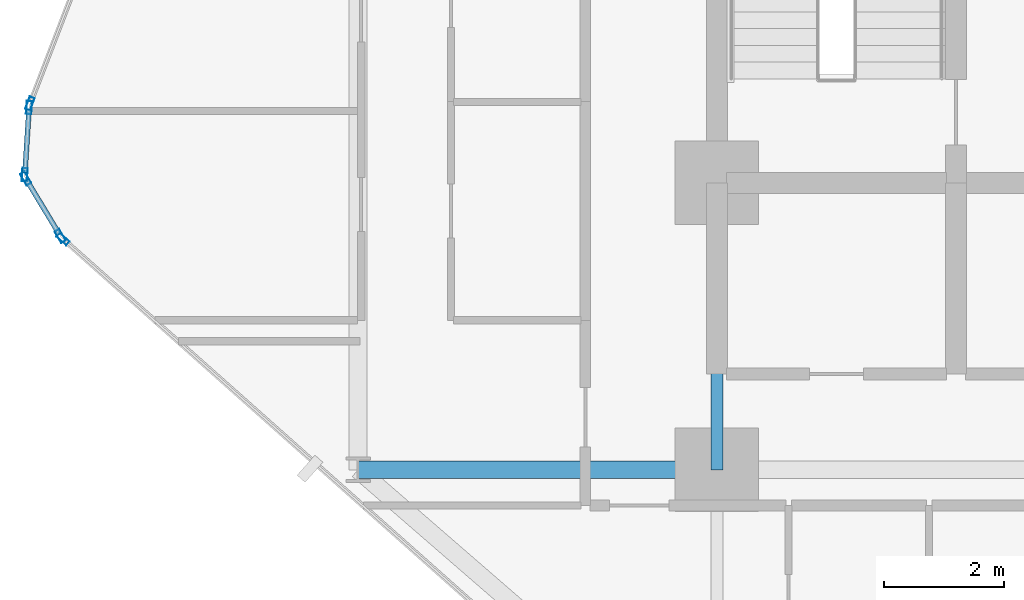
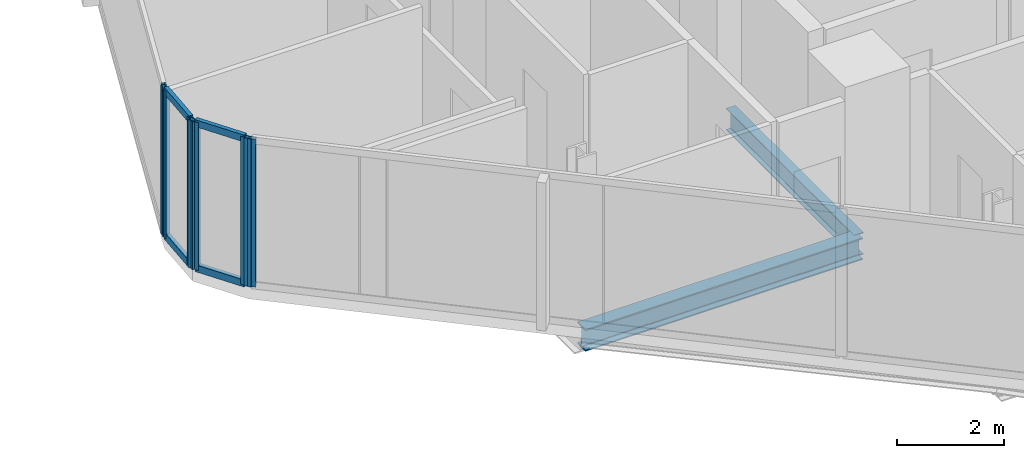
# One storey, part 5 of 34: 10 members, 2 beams, 4 elements without a shape of their own.
"""IFC4 building model written with IfcOpenShell, lengths in metres."""

from ifc_helpers import new_model, si_unit, direction, frame, origin, origin_2d, place, context, subcontext, project, spatial, hollow_rectangle, i_section, extrude, material, layer, layer_set, material_profile, profile_set, type_object, element, aggregate, save


model = new_model("IFC4")

# Units and contexts
model_context = context("Model", 3, precision=1e-05, world=origin(), true_north=direction((0.0, 1.0)))
body_context = subcontext(model_context, "Body", "Model", "MODEL_VIEW")
ifc_project = project(units=[si_unit("LENGTHUNIT", "METRE"), si_unit("AREAUNIT", "SQUARE_METRE"), si_unit("VOLUMEUNIT", "CUBIC_METRE"), si_unit("PLANEANGLEUNIT", "RADIAN"), si_unit("MASSUNIT", "GRAM", prefix="KILO")], contexts=[model_context])

# Site, building, storey
site_placement = place(None, origin())
site = spatial("IfcSite", under=ifc_project, at=site_placement, CompositionType="ELEMENT")
building_placement = place(site_placement, origin())
building = spatial("IfcBuilding", under=site, at=building_placement, Name="Keshet Zoharim Tower", CompositionType="ELEMENT")
storey_placement = place(building_placement, frame((0.0, 0.0, 46.199951171875)))
storey = spatial("IfcBuildingStorey", under=building, at=storey_placement, Name="L10", CompositionType="ELEMENT", Elevation=46.199951171875)

# Beams
ifc_material_1 = material(Name="Steel S355", Category="steel")
ifc_material_profile_1 = material_profile(ifc_material_1, i_section(OverallWidth=0.199951171875, OverallDepth=0.5, WebThickness=0.01025390625, FlangeThickness=0.01611328125, FilletRadius=0.02099609375, at=origin_2d()), Name="IPE500")
ifc_profile_set_1 = profile_set([ifc_material_profile_1], Name="Steel S355")
beam_type_1 = type_object("IfcBeamType", Name="BM-PRI-IP500", PredefinedType="BEAM", material=ifc_profile_set_1)
beam_1_placement = place(storey_placement, frame((15.0, 17.89990234375, -0.56494140625), z_axis=(0.0, 1.0, 0.0), x_axis=(-1.0, 0.0, 0.0)))
element("IfcBeam", 1, at=beam_1_placement, inside=storey, type_object=beam_type_1, Name="L10 Primary Girder Y-003", PredefinedType="BEAM", context=body_context, shape_type="SweptSolid", body=[
    extrude(i_section(OverallWidth=0.199951171875, OverallDepth=0.5, WebThickness=0.01025390625, FlangeThickness=0.01611328125, FilletRadius=0.02099609375, at=origin_2d()), origin(), (0.0, 0.0, 1.0), 4.800048828125),
])
ifc_material_profile_2 = material_profile(ifc_material_1, i_section(OverallWidth=0.300048828125, OverallDepth=0.5, WebThickness=0.014404296875, FlangeThickness=0.028076171875, FilletRadius=0.027099609375, at=origin_2d()), Name="HEB500")
ifc_profile_set_2 = profile_set([ifc_material_profile_2], Name="Steel S355")
beam_type_2 = type_object("IfcBeamType", Name="BM-WEB-HB500", PredefinedType="BEAM", material=ifc_profile_set_2)
beam_2_placement = place(storey_placement, frame((9.0, 17.89990234375, -0.56494140625), z_axis=(1.0, 0.0, 0.0), x_axis=(0.0, 1.0, 0.0)))
element("IfcBeam", 2, at=beam_2_placement, inside=storey, type_object=beam_type_2, Name="L10 Primary Girder X-015", PredefinedType="BEAM", context=body_context, shape_type="SweptSolid", body=[
    extrude(i_section(OverallWidth=0.300048828125, OverallDepth=0.5, WebThickness=0.014404296875, FlangeThickness=0.028076171875, FilletRadius=0.027099609375, at=origin_2d()), origin(), (0.0, 0.0, 1.0), 6.0),
])

# Curtain wall, member
ifc_material_2 = material(Name="Aluminium 6063-T6", Category="aluminium")
ifc_layer = layer(ifc_material_2, 0.179931640625)
ifc_layer_set = layer_set([ifc_layer], Name="Aluminium 6063-T6")
curtain_wall_type = type_object("IfcCurtainWallType", Name="CW-SYS-01", PredefinedType="NOTDEFINED", material=ifc_layer_set)
curtain_wall_1_placement = place(storey_placement, origin())
curtain_wall_1 = element("IfcCurtainWall", 3, at=curtain_wall_1_placement, inside=storey, type_object=curtain_wall_type, Name="L10 Unitised Curtain Wall 01", PredefinedType="NOTDEFINED")
ifc_material_profile_3 = material_profile(ifc_material_2, hollow_rectangle(XDim=0.090087890625, YDim=0.219970703125, WallThickness=0.0048828125, at=origin_2d()), Name="MUL-90x220")
ifc_profile_set_3 = profile_set([ifc_material_profile_3], Name="Aluminium 6063-T6")
member_type_1 = type_object("IfcMemberType", Name="CWM-M22", PredefinedType="MULLION", material=ifc_profile_set_3)
member_1_placement = place(storey_placement, frame((4.061279296875, 21.7568359375, 0.0), z_axis=(0.0, 0.0, 1.0), x_axis=(-0.664363838836, -0.747409318679, 0.0)))
member_1 = element("IfcMember", 4, at=member_1_placement, type_object=member_type_1, Name="CW-01 mullion 3", PredefinedType="MULLION", context=body_context, shape_type="SweptSolid", body=[
    extrude(hollow_rectangle(XDim=0.090087890625, YDim=0.219970703125, WallThickness=0.0048828125, at=origin_2d()), origin(), (0.0, 0.0, 1.0), 3.385009765625),
])
aggregate(curtain_wall_1, [member_1])

# Curtain wall, members
curtain_wall_2_placement = place(storey_placement, origin())
curtain_wall_2 = element("IfcCurtainWall", 5, at=curtain_wall_2_placement, inside=storey, type_object=curtain_wall_type, Name="L10 Unitised Curtain Wall 02", PredefinedType="NOTDEFINED")
member_2_placement = place(storey_placement, frame((4.016845703125, 21.81005859375, 0.0), z_axis=(0.0, 0.0, 1.0), x_axis=(-0.856826433805, -0.515604947933, 0.0)))
member_2 = element("IfcMember", 6, at=member_2_placement, type_object=member_type_1, Name="CW-01 mullion 1", PredefinedType="MULLION", context=body_context, shape_type="SweptSolid", body=[
    extrude(hollow_rectangle(XDim=0.090087890625, YDim=0.219970703125, WallThickness=0.0048828125, at=origin_2d()), origin(), (0.0, 0.0, 1.0), 3.385009765625),
])
member_3_placement = place(storey_placement, frame((3.43798828125, 22.77197265625, 0.0), z_axis=(0.0, 0.0, 1.0), x_axis=(-0.856826433805, -0.515604947933, 0.0)))
member_3 = element("IfcMember", 7, at=member_3_placement, type_object=member_type_1, Name="CW-01 mullion 2", PredefinedType="MULLION", context=body_context, shape_type="SweptSolid", body=[
    extrude(hollow_rectangle(XDim=0.090087890625, YDim=0.219970703125, WallThickness=0.0048828125, at=origin_2d()), origin(), (0.0, 0.0, 1.0), 3.385009765625),
])

curtain_wall_3_placement = place(storey_placement, origin())
curtain_wall_3 = element("IfcCurtainWall", 8, at=curtain_wall_3_placement, inside=storey, type_object=curtain_wall_type, Name="L10 Unitised Curtain Wall 03", PredefinedType="NOTDEFINED")
member_4_placement = place(storey_placement, frame((3.42236328125, 22.8369140625, 0.0), z_axis=(0.0, 0.0, 1.0), x_axis=(-0.997916617186, 0.064516859374, 0.0)))
member_4 = element("IfcMember", 9, at=member_4_placement, type_object=member_type_1, Name="CW-01 mullion 1", PredefinedType="MULLION", context=body_context, shape_type="SweptSolid", body=[
    extrude(hollow_rectangle(XDim=0.090087890625, YDim=0.219970703125, WallThickness=0.0048828125, at=origin_2d()), origin(), (0.0, 0.0, 1.0), 3.385009765625),
])
member_5_placement = place(storey_placement, frame((3.49462890625, 23.9580078125, 0.0), z_axis=(0.0, 0.0, 1.0), x_axis=(-0.997916617186, 0.064516859374, 0.0)))
member_5 = element("IfcMember", 10, at=member_5_placement, type_object=member_type_1, Name="CW-01 mullion 2", PredefinedType="MULLION", context=body_context, shape_type="SweptSolid", body=[
    extrude(hollow_rectangle(XDim=0.090087890625, YDim=0.219970703125, WallThickness=0.0048828125, at=origin_2d()), origin(), (0.0, 0.0, 1.0), 3.385009765625),
])

# Curtain wall, member
curtain_wall_4_placement = place(storey_placement, origin())
curtain_wall_4 = element("IfcCurtainWall", 11, at=curtain_wall_4_placement, inside=storey, type_object=curtain_wall_type, Name="L10 Unitised Curtain Wall 04", PredefinedType="NOTDEFINED")
member_6_placement = place(storey_placement, frame((3.509521484375, 24.025634765625, 0.0), z_axis=(0.0, 0.0, 1.0), x_axis=(-0.933341404361, 0.358990003907, 0.0)))
member_6 = element("IfcMember", 12, at=member_6_placement, type_object=member_type_1, Name="CW-01 mullion 1", PredefinedType="MULLION", context=body_context, shape_type="SweptSolid", body=[
    extrude(hollow_rectangle(XDim=0.090087890625, YDim=0.219970703125, WallThickness=0.0048828125, at=origin_2d()), origin(), (0.0, 0.0, 1.0), 3.385009765625),
])
aggregate(curtain_wall_4, [member_6])

# Member
ifc_material_profile_4 = material_profile(ifc_material_2, hollow_rectangle(XDim=0.0849609375, YDim=0.159912109375, WallThickness=0.00439453125, at=origin_2d()), Name="TRN-85x160")
ifc_profile_set_4 = profile_set([ifc_material_profile_4], Name="Aluminium 6063-T6")
member_type_2 = type_object("IfcMemberType", Name="CWT-T16", PredefinedType="USERDEFINED", material=ifc_profile_set_4)
member_7_placement = place(storey_placement, frame((3.9990234375, 21.840087890625, 0.03515625), z_axis=(-0.515791194107, 0.856714330499, 0.0), x_axis=(-0.856714330499, -0.515791194107, 0.0)))
member_7 = element("IfcMember", 13, at=member_7_placement, type_object=member_type_2, Name="CW-01 transom 1.1", ObjectType="TRANSOM", PredefinedType="USERDEFINED", context=body_context, shape_type="SweptSolid", body=[
    extrude(hollow_rectangle(XDim=0.0849609375, YDim=0.159912109375, WallThickness=0.00439453125, at=origin_2d()), origin(), (0.0, 0.0, 1.0), 1.052734375),
])

member_8_placement = place(storey_placement, frame((3.9990234375, 21.840087890625, 3.35009765625), z_axis=(-0.515791194107, 0.856714330499, 0.0), x_axis=(-0.856714330499, -0.515791194107, 0.0)))
member_8 = element("IfcMember", 14, at=member_8_placement, type_object=member_type_2, Name="CW-01 transom 1.2", ObjectType="TRANSOM", PredefinedType="USERDEFINED", context=body_context, shape_type="SweptSolid", body=[
    extrude(hollow_rectangle(XDim=0.0849609375, YDim=0.159912109375, WallThickness=0.00439453125, at=origin_2d()), origin(), (0.0, 0.0, 1.0), 1.052734375),
])

aggregate(curtain_wall_2, [member_2, member_3, member_7, member_8])

member_9_placement = place(storey_placement, frame((3.424560546875, 22.871826171875, 0.03515625), z_axis=(0.064426947155, 0.997922426083, 0.0), x_axis=(-0.997922426083, 0.064426947155, 0.0)))
member_9 = element("IfcMember", 15, at=member_9_placement, type_object=member_type_2, Name="CW-01 transom 1.1", ObjectType="TRANSOM", PredefinedType="USERDEFINED", context=body_context, shape_type="SweptSolid", body=[
    extrude(hollow_rectangle(XDim=0.0849609375, YDim=0.159912109375, WallThickness=0.00439453125, at=origin_2d()), origin(), (0.0, 0.0, 1.0), 1.053466796875),
])

member_10_placement = place(storey_placement, frame((3.424560546875, 22.871826171875, 3.35009765625), z_axis=(0.064426947155, 0.997922426083, 0.0), x_axis=(-0.997922426083, 0.064426947155, 0.0)))
member_10 = element("IfcMember", 16, at=member_10_placement, type_object=member_type_2, Name="CW-01 transom 1.2", ObjectType="TRANSOM", PredefinedType="USERDEFINED", context=body_context, shape_type="SweptSolid", body=[
    extrude(hollow_rectangle(XDim=0.0849609375, YDim=0.159912109375, WallThickness=0.00439453125, at=origin_2d()), origin(), (0.0, 0.0, 1.0), 1.053466796875),
])

aggregate(curtain_wall_3, [member_4, member_5, member_9, member_10])

save(model, "model.ifc")
